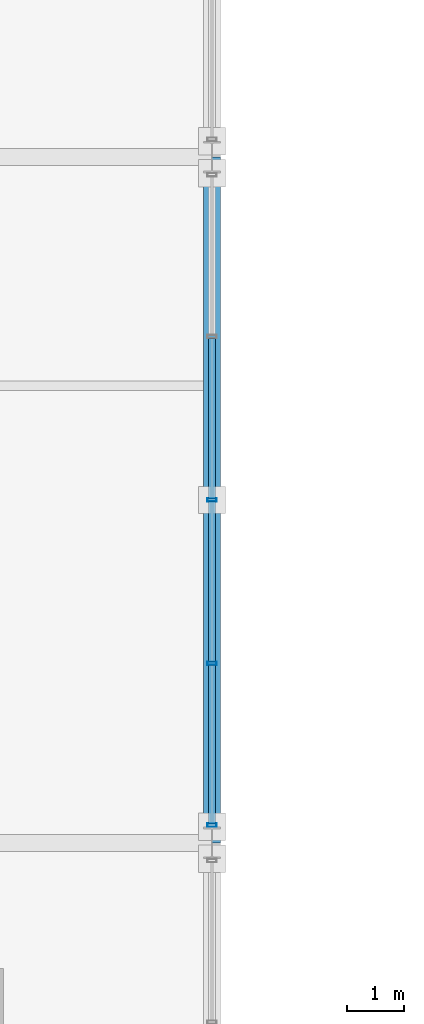
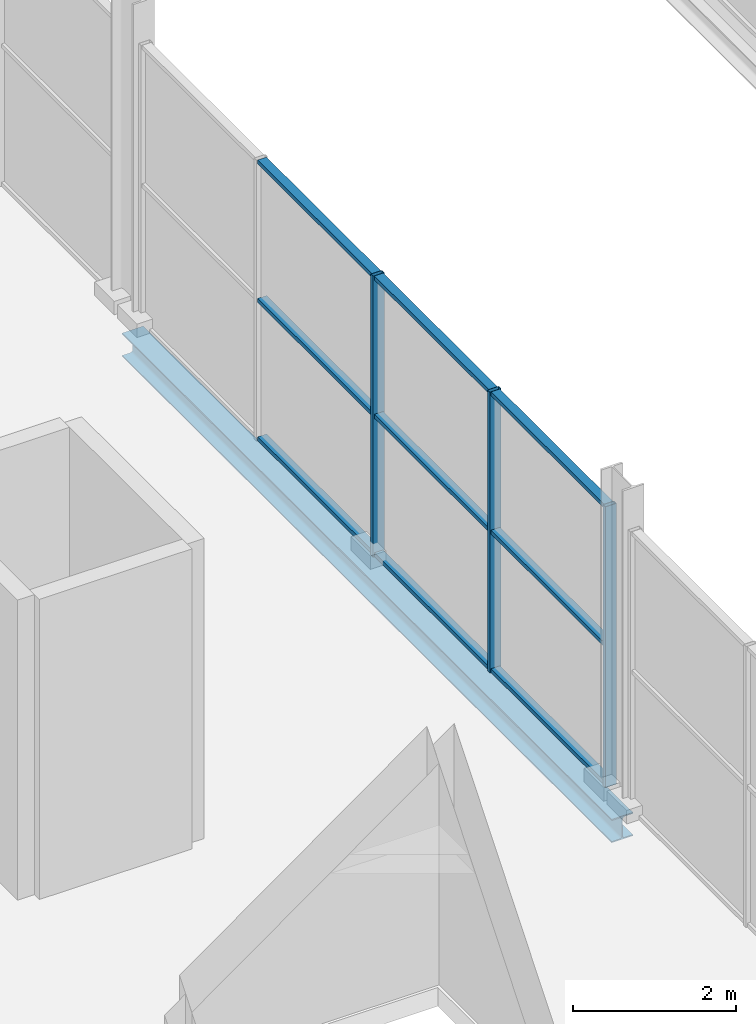
# One storey, part 70 of 159: 12 members, 1 beam, 1 element without a shape of its own.
"""IFC4 building model written with IfcOpenShell, lengths in metres."""

from ifc_helpers import new_model, si_unit, direction, frame, origin, origin_2d, place, context, subcontext, project, spatial, hollow_rectangle, i_section, extrude, material, material_profile, profile_set, type_object, element, aggregate, save


model = new_model("IFC4")

# Units and contexts
model_context = context("Model", 3, precision=1e-05, world=origin(), true_north=direction((0.0, 1.0)))
body_context = subcontext(model_context, "Body", "Model", "MODEL_VIEW")
ifc_project = project(units=[si_unit("LENGTHUNIT", "METRE"), si_unit("AREAUNIT", "SQUARE_METRE"), si_unit("VOLUMEUNIT", "CUBIC_METRE"), si_unit("PLANEANGLEUNIT", "RADIAN"), si_unit("MASSUNIT", "GRAM", prefix="KILO")], contexts=[model_context])

# Site, building, storey
site_placement = place(None, origin())
site = spatial("IfcSite", under=ifc_project, at=site_placement, CompositionType="ELEMENT")
building_placement = place(site_placement, origin())
building = spatial("IfcBuilding", under=site, at=building_placement, Name="Merenkruunu Market Hall", CompositionType="ELEMENT")
storey_placement = place(building_placement, frame((0.0, 0.0, 5.39990234375)))
storey = spatial("IfcBuildingStorey", under=building, at=storey_placement, Name="L01", CompositionType="ELEMENT", Elevation=5.39990234375)

# Curtain wall, members
ifc_material_1 = material(Name="Powder-coated aluminium", Category="aluminium")
curtain_wall_type = type_object("IfcCurtainWallType", Name="Glazed Curtain Wall CW15", PredefinedType="USERDEFINED", material=ifc_material_1)
curtain_wall_placement = place(storey_placement, origin())
curtain_wall = element("IfcCurtainWall", 1, at=curtain_wall_placement, inside=storey, type_object=curtain_wall_type, Name="CW-L01-CWM01-131", ObjectType="GLAZED_FACADE", PredefinedType="USERDEFINED")
ifc_material_profile_1 = material_profile(ifc_material_1, hollow_rectangle(XDim=0.06005859375, YDim=0.159912109375, WallThickness=0.00390625, at=origin_2d()), Name="ALU 60x160x4")
ifc_profile_set_1 = profile_set([ifc_material_profile_1], Name="Powder-coated aluminium")
member_type_1 = type_object("IfcMemberType", Name="Curtain Wall Mullion CWM01", PredefinedType="MULLION", material=ifc_profile_set_1)
member_1_placement = place(storey_placement, frame((57.60009765625, 63.909912109375, 0.0), z_axis=(0.0, 0.0, 1.0), x_axis=(0.0, 1.0, 0.0)))
member_1 = element("IfcMember", 2, at=member_1_placement, type_object=member_type_1, Name="CW15 mullion 1", PredefinedType="MULLION", context=body_context, shape_type="SweptSolid", body=[
    extrude(hollow_rectangle(XDim=0.06005859375, YDim=0.159912109375, WallThickness=0.00390625, at=origin_2d()), origin(), (0.0, 0.0, 1.0), 4.2001953125),
])
member_2_placement = place(storey_placement, frame((57.60009765625, 66.739990234375, 0.0), z_axis=(0.0, 0.0, 1.0), x_axis=(0.0, 1.0, 0.0)))
member_2 = element("IfcMember", 3, at=member_2_placement, type_object=member_type_1, Name="CW15 mullion 2", PredefinedType="MULLION", context=body_context, shape_type="SweptSolid", body=[
    extrude(hollow_rectangle(XDim=0.06005859375, YDim=0.159912109375, WallThickness=0.00390625, at=origin_2d()), origin(), (0.0, 0.0, 1.0), 4.2001953125),
])
member_3_placement = place(storey_placement, frame((57.60009765625, 69.60009765625, 0.0), z_axis=(0.0, 0.0, 1.0), x_axis=(0.0, 1.0, 0.0)))
member_3 = element("IfcMember", 4, at=member_3_placement, type_object=member_type_1, Name="CW15 mullion 3", PredefinedType="MULLION", context=body_context, shape_type="SweptSolid", body=[
    extrude(hollow_rectangle(XDim=0.06005859375, YDim=0.159912109375, WallThickness=0.00390625, at=origin_2d()), origin(), (0.0, 0.0, 1.0), 4.2001953125),
])
ifc_material_profile_2 = material_profile(ifc_material_1, hollow_rectangle(XDim=0.06005859375, YDim=0.125, WallThickness=0.00390625, at=origin_2d()), Name="ALU 60x125x4")
ifc_profile_set_2 = profile_set([ifc_material_profile_2], Name="Powder-coated aluminium")
member_type_2 = type_object("IfcMemberType", Name="Curtain Wall Transom CWT01", PredefinedType="USERDEFINED", material=ifc_profile_set_2)
member_4_placement = place(storey_placement, frame((57.60009765625, 63.93994140625, 0.030029296875), z_axis=(0.0, 1.0, 0.0), x_axis=(0.0, 0.0, 1.0)))
member_4 = element("IfcMember", 5, at=member_4_placement, type_object=member_type_2, Name="CW15 transom 1.1", ObjectType="TRANSOM", PredefinedType="USERDEFINED", context=body_context, shape_type="SweptSolid", body=[
    extrude(hollow_rectangle(XDim=0.06005859375, YDim=0.125, WallThickness=0.00390625, at=origin_2d()), origin(), (0.0, 0.0, 1.0), 2.77001953125),
])
member_5_placement = place(storey_placement, frame((57.60009765625, 63.93994140625, 2.10009765625), z_axis=(0.0, 1.0, 0.0), x_axis=(0.0, 0.0, 1.0)))
member_5 = element("IfcMember", 6, at=member_5_placement, type_object=member_type_2, Name="CW15 transom 1.2", ObjectType="TRANSOM", PredefinedType="USERDEFINED", context=body_context, shape_type="SweptSolid", body=[
    extrude(hollow_rectangle(XDim=0.06005859375, YDim=0.125, WallThickness=0.00390625, at=origin_2d()), origin(), (0.0, 0.0, 1.0), 2.77001953125),
])
member_6_placement = place(storey_placement, frame((57.60009765625, 63.93994140625, 4.170166015625), z_axis=(0.0, 1.0, 0.0), x_axis=(0.0, 0.0, 1.0)))
member_6 = element("IfcMember", 7, at=member_6_placement, type_object=member_type_2, Name="CW15 transom 1.3", ObjectType="TRANSOM", PredefinedType="USERDEFINED", context=body_context, shape_type="SweptSolid", body=[
    extrude(hollow_rectangle(XDim=0.06005859375, YDim=0.125, WallThickness=0.00390625, at=origin_2d()), origin(), (0.0, 0.0, 1.0), 2.77001953125),
])
member_7_placement = place(storey_placement, frame((57.60009765625, 66.77001953125, 0.030029296875), z_axis=(0.0, 1.0, 0.0), x_axis=(0.0, 0.0, 1.0)))
member_7 = element("IfcMember", 8, at=member_7_placement, type_object=member_type_2, Name="CW15 transom 2.1", ObjectType="TRANSOM", PredefinedType="USERDEFINED", context=body_context, shape_type="SweptSolid", body=[
    extrude(hollow_rectangle(XDim=0.06005859375, YDim=0.125, WallThickness=0.00390625, at=origin_2d()), origin(), (0.0, 0.0, 1.0), 2.800048828125),
])
member_8_placement = place(storey_placement, frame((57.60009765625, 66.77001953125, 2.10009765625), z_axis=(0.0, 1.0, 0.0), x_axis=(0.0, 0.0, 1.0)))
member_8 = element("IfcMember", 9, at=member_8_placement, type_object=member_type_2, Name="CW15 transom 2.2", ObjectType="TRANSOM", PredefinedType="USERDEFINED", context=body_context, shape_type="SweptSolid", body=[
    extrude(hollow_rectangle(XDim=0.06005859375, YDim=0.125, WallThickness=0.00390625, at=origin_2d()), origin(), (0.0, 0.0, 1.0), 2.800048828125),
])
member_9_placement = place(storey_placement, frame((57.60009765625, 66.77001953125, 4.170166015625), z_axis=(0.0, 1.0, 0.0), x_axis=(0.0, 0.0, 1.0)))
member_9 = element("IfcMember", 10, at=member_9_placement, type_object=member_type_2, Name="CW15 transom 2.3", ObjectType="TRANSOM", PredefinedType="USERDEFINED", context=body_context, shape_type="SweptSolid", body=[
    extrude(hollow_rectangle(XDim=0.06005859375, YDim=0.125, WallThickness=0.00390625, at=origin_2d()), origin(), (0.0, 0.0, 1.0), 2.800048828125),
])
member_10_placement = place(storey_placement, frame((57.60009765625, 69.6298828125, 0.030029296875), z_axis=(0.0, 1.0, 0.0), x_axis=(0.0, 0.0, 1.0)))
member_10 = element("IfcMember", 11, at=member_10_placement, type_object=member_type_2, Name="CW15 transom 3.1", ObjectType="TRANSOM", PredefinedType="USERDEFINED", context=body_context, shape_type="SweptSolid", body=[
    extrude(hollow_rectangle(XDim=0.06005859375, YDim=0.125, WallThickness=0.00390625, at=origin_2d()), origin(), (0.0, 0.0, 1.0), 2.800048828125),
])
member_11_placement = place(storey_placement, frame((57.60009765625, 69.6298828125, 2.10009765625), z_axis=(0.0, 1.0, 0.0), x_axis=(0.0, 0.0, 1.0)))
member_11 = element("IfcMember", 12, at=member_11_placement, type_object=member_type_2, Name="CW15 transom 3.2", ObjectType="TRANSOM", PredefinedType="USERDEFINED", context=body_context, shape_type="SweptSolid", body=[
    extrude(hollow_rectangle(XDim=0.06005859375, YDim=0.125, WallThickness=0.00390625, at=origin_2d()), origin(), (0.0, 0.0, 1.0), 2.800048828125),
])
member_12_placement = place(storey_placement, frame((57.60009765625, 69.6298828125, 4.170166015625), z_axis=(0.0, 1.0, 0.0), x_axis=(0.0, 0.0, 1.0)))
member_12 = element("IfcMember", 13, at=member_12_placement, type_object=member_type_2, Name="CW15 transom 3.3", ObjectType="TRANSOM", PredefinedType="USERDEFINED", context=body_context, shape_type="SweptSolid", body=[
    extrude(hollow_rectangle(XDim=0.06005859375, YDim=0.125, WallThickness=0.00390625, at=origin_2d()), origin(), (0.0, 0.0, 1.0), 2.800048828125),
])
aggregate(curtain_wall, [member_1, member_2, member_3, member_4, member_5, member_6, member_7, member_8, member_9, member_10, member_11, member_12])

# Beam
ifc_material_2 = material(Name="Steel S355J2", Category="steel")
ifc_material_profile_3 = material_profile(ifc_material_2, i_section(OverallWidth=0.300048828125, OverallDepth=0.35009765625, WebThickness=0.010009765625, FlangeThickness=0.017578125, FilletRadius=0.027099609375, at=origin_2d()), Name="HEA 360")
ifc_profile_set_3 = profile_set([ifc_material_profile_3], Name="Steel S355J2")
beam_type = type_object("IfcBeamType", Name="Primary Floor Girder B08", PredefinedType="BEAM", material=ifc_profile_set_3)
beam_placement = place(storey_placement, frame((57.60009765625, 63.60009765625, -0.454833984375), z_axis=(0.0, 1.0, 0.0), x_axis=(-1.0, 0.0, 0.0)))
element("IfcBeam", 14, at=beam_placement, inside=storey, type_object=beam_type, Name="BM-L01-B08-0585", PredefinedType="BEAM", context=body_context, shape_type="SweptSolid", body=[
    extrude(i_section(OverallWidth=0.300048828125, OverallDepth=0.35009765625, WebThickness=0.010009765625, FlangeThickness=0.017578125, FilletRadius=0.027099609375, at=origin_2d()), origin(), (0.0, 0.0, 1.0), 12.0),
])

save(model, "model.ifc")
